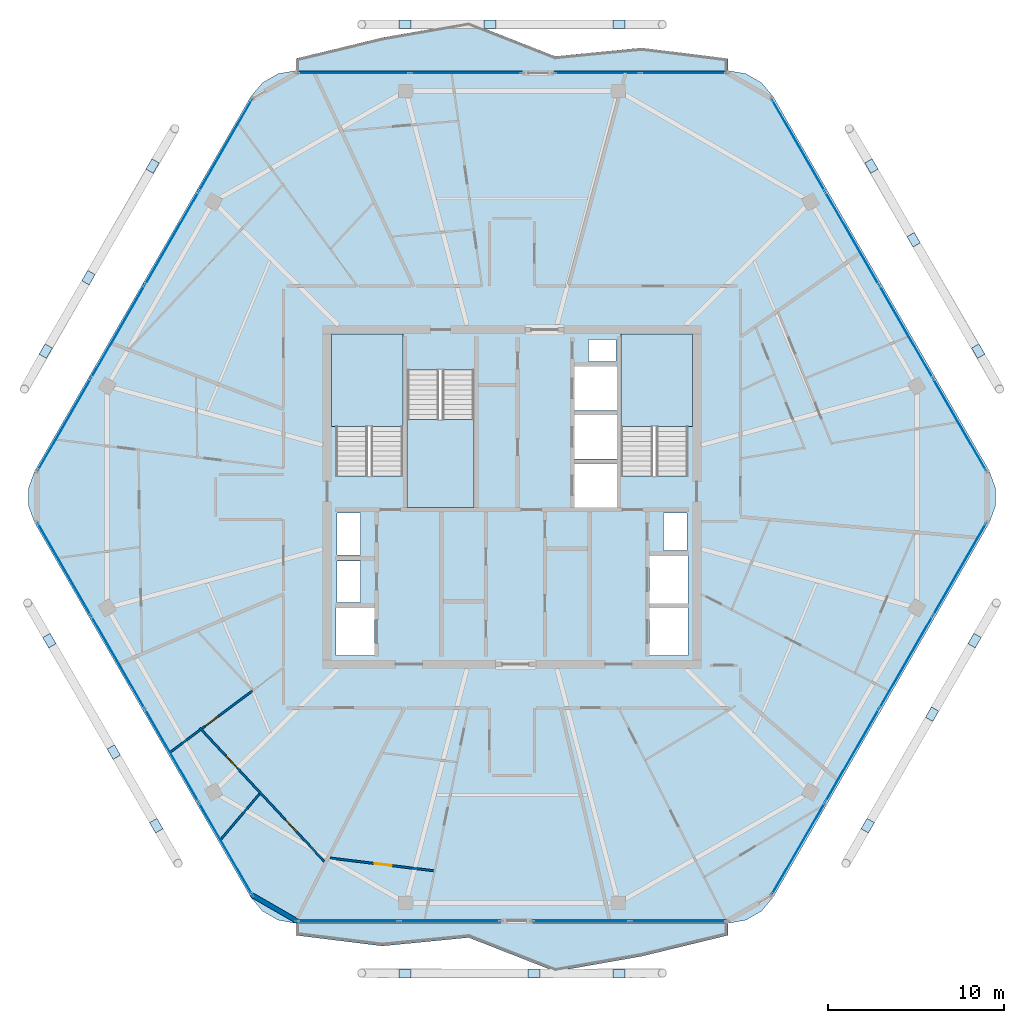
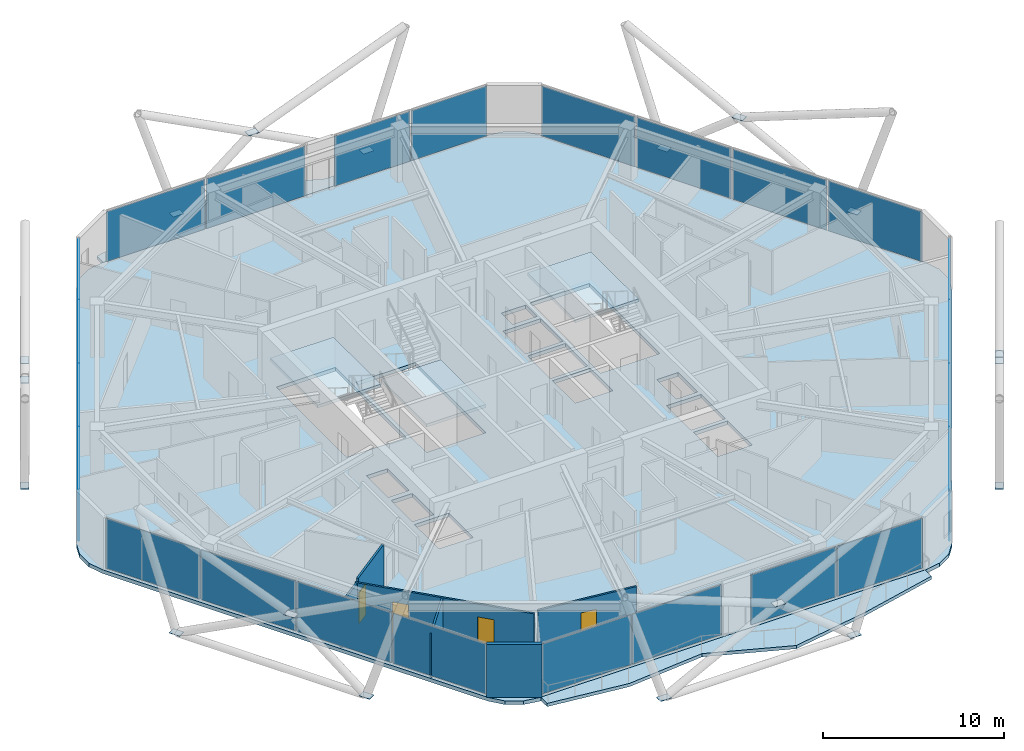
# One storey, part 16 of 23: 42 plates, 6 slabs, 6 walls, 4 doors, 4 openings, 11 elements without a shape of their own.
"""IFC4 building model written with IfcOpenShell, lengths in metres."""

from ifc_helpers import new_model, si_unit, direction, frame, frame_2d, origin, origin_2d, place, context, subcontext, project, spatial, polyline, rectangle, outline, extrude, material, layer, layer_set, type_object, element, fill, aggregate, save


model = new_model("IFC4")

# Units and contexts
model_context = context("Model", 3, precision=1e-05, world=origin(), true_north=direction((0.0, 1.0)))
body_context = subcontext(model_context, "Body", "Model", "MODEL_VIEW")
ifc_project = project(units=[si_unit("LENGTHUNIT", "METRE"), si_unit("AREAUNIT", "SQUARE_METRE"), si_unit("VOLUMEUNIT", "CUBIC_METRE"), si_unit("PLANEANGLEUNIT", "RADIAN"), si_unit("MASSUNIT", "GRAM", prefix="KILO")], contexts=[model_context])

# Site, building, storey
site_placement = place(None, origin())
site = spatial("IfcSite", under=ifc_project, at=site_placement, CompositionType="ELEMENT")
building_placement = place(site_placement, origin())
building = spatial("IfcBuilding", under=site, at=building_placement, Name="Zuhravey Tower", CompositionType="ELEMENT")
storey_placement = place(building_placement, frame((0.0, 0.0, 323.39990234375)))
storey = spatial("IfcBuildingStorey", under=building, at=storey_placement, Name="L82", CompositionType="ELEMENT", Elevation=323.39990234375)

# Plates
ifc_material_1 = material(Name="Steel SM460", Category="steel")
ifc_layer_1 = layer(ifc_material_1, 0.028076171875)
ifc_layer_set_1 = layer_set([ifc_layer_1], Name="Steel SM460")
plate_type_1 = type_object("IfcPlateType", Name="Exoskeleton Zone 4 Node Plate ND4", PredefinedType="SHEET", material=ifc_layer_set_1)
for number, where, z_axis, x_axis, name in (
    (1, (62.48046875, 40.282470703125, -0.47802734375), (0.0, 0.0, 1.0), (-0.5, 0.866025403784, 0.0), "L82 Exoskeleton Node Gusset L82-01"),
    (2, (56.4130859375, 50.79150390625, -0.47802734375), (0.0, 0.0, 1.0), (-0.5, 0.866025403784, 0.0), "L82 Exoskeleton Node Gusset L82-02"),
    (3, (42.0673828125, 58.833984375, -0.47802734375), (0.0, 0.0, 1.0), (-1.0, 0.0, 0.0), "L82 Exoskeleton Node Gusset L82-03"),
    (4, (29.9326171875, 58.833984375, -0.47802734375), (0.0, 0.0, 1.0), (-1.0, 0.0, 0.0), "L82 Exoskeleton Node Gusset L82-04"),
    (5, (15.5869140625, 50.79150390625, -0.47802734375), (0.0, 0.0, 1.0), (-0.5, -0.866025403784, 0.0), "L82 Exoskeleton Node Gusset L82-05"),
    (6, (9.51953125, 40.282470703125, -0.47802734375), (0.0, 0.0, 1.0), (-0.5, -0.866025403784, 0.0), "L82 Exoskeleton Node Gusset L82-06"),
    (7, (9.727294921875, 23.83740234375, -0.47802734375), (0.0, 0.0, 1.0), (0.5, -0.866025403784, 0.0), "L82 Exoskeleton Node Gusset L82-07"),
    (8, (15.794677734375, 13.328369140625, -0.47802734375), (0.0, 0.0, 1.0), (0.5, -0.866025403784, 0.0), "L82 Exoskeleton Node Gusset L82-08"),
    (9, (29.9326171875, 4.92578125, -0.47802734375), (0.0, 0.0, 1.0), (1.0, 0.0, 0.0), "L82 Exoskeleton Node Gusset L82-09"),
    (10, (42.0673828125, 4.92578125, -0.47802734375), (0.0, 0.0, 1.0), (1.0, 0.0, 0.0), "L82 Exoskeleton Node Gusset L82-10"),
    (11, (56.205322265625, 13.328369140625, -0.47802734375), (0.0, 0.0, 1.0), (0.5, 0.866025403784, 0.0), "L82 Exoskeleton Node Gusset L82-11"),
    (12, (62.272705078125, 23.83740234375, -0.47802734375), (0.0, 0.0, 1.0), (0.5, 0.866025403784, 0.0), "L82 Exoskeleton Node Gusset L82-12"),
    (13, (58.813232421875, 46.604248046875, 3.322265625), (0.0, 0.0, 1.0), (-0.5, 0.866025403784, 0.0), "L82 Face 1 Diagrid X-Crossing Plate"),
    (14, (34.7587890625, 58.833984375, 3.322265625), (0.0, 0.0, 1.0), (-1.0, 0.0, 0.0), "L82 Face 2 Diagrid X-Crossing Plate"),
    (15, (11.94580078125, 44.454833984375, 3.322265625), (0.0, 0.0, 1.0), (-0.5, -0.866025403784, 0.0), "L82 Face 3 Diagrid X-Crossing Plate"),
    (16, (13.381591796875, 17.50830078125, 3.322265625), (0.0, 0.0, 1.0), (0.5, -0.866025403784, 0.0), "L82 Face 4 Diagrid X-Crossing Plate"),
    (17, (37.2412109375, 4.94091796875, 3.322265625), (0.0, 0.0, 1.0), (1.0, 0.0, 0.0), "L82 Face 5 Diagrid X-Crossing Plate"),
    (18, (59.859619140625, 19.65771484375, 3.322265625), (0.0, 0.0, 1.0), (0.5, 0.866025403784, 0.0), "L82 Face 6 Diagrid X-Crossing Plate"),
):
    element("IfcPlate", number, at=place(storey_placement, frame(where, z_axis=z_axis, x_axis=x_axis)), inside=storey, type_object=plate_type_1, Name=name, PredefinedType="SHEET", context=body_context, shape_type="SweptSolid", body=[
        extrude(rectangle(XDim=0.679931640625, YDim=0.47998046875, at=origin_2d()), origin(), (0.0, 0.0, 1.0), 0.028076171875),
    ])

# Slabs
ifc_material_2 = material(Name="Concrete C50/60", Category="concrete")
ifc_layer_2 = layer(ifc_material_2, 0.25)
ifc_layer_set_2 = layer_set([ifc_layer_2], Name="Concrete C50/60")
slab_type_1 = type_object("IfcSlabType", Name="Residential Acoustic Slab 250", PredefinedType="FLOOR", material=ifc_layer_set_2)
slab_1_placement = place(storey_placement, frame((0.0, 0.0, -0.25)))
element("IfcSlab", 19, at=slab_1_placement, inside=storey, type_object=slab_type_1, Name="L82 Floor Slab FS25", PredefinedType="FLOOR", context=body_context, shape_type="SweptSolid", body=[
    extrude(outline(polyline([(63.1083984375, 30.52490234375), (63.458740234375, 31.48779296875), (63.458740234375, 32.51220703125), (63.1083984375, 33.47509765625), (50.83154296875, 54.739013671875), (50.173095703125, 55.52392578125), (49.285888671875, 56.0361328125), (48.27685546875, 56.214111328125), (23.72314453125, 56.214111328125), (22.714111328125, 56.0361328125), (21.826904296875, 55.52392578125), (21.16845703125, 54.739013671875), (8.8916015625, 33.47509765625), (8.541259765625, 32.51220703125), (8.541259765625, 31.48779296875), (8.8916015625, 30.52490234375), (21.16845703125, 9.260986328125), (21.826904296875, 8.47607421875), (22.714111328125, 7.9638671875), (23.72314453125, 7.785888671875), (48.27685546875, 7.785888671875), (49.285888671875, 7.9638671875), (50.173095703125, 8.47607421875), (50.83154296875, 9.260986328125), (63.1083984375, 30.52490234375)]), holes=[polyline([(29.800048828125, 33.20068359375), (29.800048828125, 41.0), (26.0, 41.0), (26.0, 33.20068359375), (29.800048828125, 33.20068359375)]), polyline([(46.0, 33.20068359375), (46.0, 41.0), (42.199951171875, 41.0), (42.199951171875, 33.20068359375), (46.0, 33.20068359375)]), polyline([(30.050048828125, 39.199462890625), (30.050048828125, 31.39990234375), (33.85009765625, 31.39990234375), (33.85009765625, 39.199462890625), (30.050048828125, 39.199462890625)]), polyline([(39.550048828125, 31.39990234375), (41.949951171875, 31.39990234375), (41.949951171875, 33.89990234375), (39.550048828125, 33.89990234375), (39.550048828125, 31.39990234375)]), polyline([(39.550048828125, 34.14990234375), (41.949951171875, 34.14990234375), (41.949951171875, 36.64990234375), (39.550048828125, 36.64990234375), (39.550048828125, 34.14990234375)]), polyline([(39.550048828125, 36.89990234375), (41.949951171875, 36.89990234375), (41.949951171875, 39.39990234375), (39.550048828125, 39.39990234375), (39.550048828125, 36.89990234375)]), polyline([(26.0, 23.0), (28.199951171875, 23.0), (28.199951171875, 25.699951171875), (26.0, 25.699951171875), (26.0, 23.0)]), polyline([(43.800048828125, 23.0), (46.0, 23.0), (46.0, 25.699951171875), (43.800048828125, 25.699951171875), (43.800048828125, 23.0)]), polyline([(43.800048828125, 25.949951171875), (46.0, 25.949951171875), (46.0, 28.64990234375), (43.800048828125, 28.64990234375), (43.800048828125, 25.949951171875)]), polyline([(26.050048828125, 26.0), (27.39990234375, 26.0), (27.39990234375, 28.35009765625), (26.050048828125, 28.35009765625), (26.050048828125, 26.0)]), polyline([(26.050048828125, 28.699951171875), (27.39990234375, 28.699951171875), (27.39990234375, 31.10009765625), (26.050048828125, 31.10009765625), (26.050048828125, 28.699951171875)]), polyline([(44.60009765625, 28.949951171875), (45.949951171875, 28.949951171875), (45.949951171875, 31.10009765625), (44.60009765625, 31.10009765625), (44.60009765625, 28.949951171875)]), polyline([(40.35009765625, 39.699951171875), (41.89990234375, 39.699951171875), (41.89990234375, 40.949951171875), (40.35009765625, 40.949951171875), (40.35009765625, 39.699951171875)])]), origin(), (0.0, 0.0, 1.0), 0.25),
])
ifc_material_3 = material(Name="Concrete C40/50", Category="concrete")
ifc_layer_3 = layer(ifc_material_3, 0.219970703125)
ifc_layer_set_3 = layer_set([ifc_layer_3], Name="Concrete C40/50")
slab_type_2 = type_object("IfcSlabType", Name="Sinusoidal Residential Wave Balcony 220", PredefinedType="FLOOR", material=ifc_layer_set_3)
slab_2_placement = place(storey_placement, frame((0.0, 0.0, -0.219970703125)))
element("IfcSlab", 20, at=slab_2_placement, inside=storey, type_object=slab_type_2, Name="L82 Face 5 Wave Balcony WB22", PredefinedType="FLOOR", context=body_context, shape_type="SweptSolid", body=[
    extrude(outline(polyline([(23.731689453125, 7.80078125), (48.268310546875, 7.80078125), (48.268310546875, 7.100830078125), (43.36083984375, 5.90966796875), (38.45361328125, 5.04638671875), (33.54638671875, 6.973876953125), (28.63916015625, 6.492431640625), (23.731689453125, 7.100830078125), (23.731689453125, 7.80078125)])), origin(), (0.0, 0.0, 1.0), 0.219970703125),
])
slab_3_placement = place(storey_placement, frame((0.0, 0.0, -0.219970703125)))
element("IfcSlab", 21, at=slab_3_placement, inside=storey, type_object=slab_type_2, Name="L82 Face 2 Wave Balcony WB22", PredefinedType="FLOOR", context=body_context, shape_type="SweptSolid", body=[
    extrude(outline(polyline([(48.268310546875, 56.19921875), (23.731689453125, 56.19921875), (23.731689453125, 56.899169921875), (28.63916015625, 58.09033203125), (33.54638671875, 58.95361328125), (38.45361328125, 57.026123046875), (43.36083984375, 57.507568359375), (48.268310546875, 56.899169921875), (48.268310546875, 56.19921875)])), origin(), (0.0, 0.0, 1.0), 0.219970703125),
])

# Stair, slab
stair_type = type_object("IfcStairType", Name="Housing Storey Stair Assembly 3800", PredefinedType="HALF_TURN_STAIR", material=ifc_material_3)
stair_1_placement = place(storey_placement, origin())
stair_1 = element("IfcStair", 22, at=stair_1_placement, inside=storey, type_object=stair_type, Name="L82 Core Exit Stair ST1", PredefinedType="HALF_TURN_STAIR")
ifc_layer_4 = layer(ifc_material_3, 0.199951171875)
ifc_layer_set_4 = layer_set([ifc_layer_4], Name="Concrete C40/50")
slab_type_3 = type_object("IfcSlabType", Name="Stair Landing Slab 200", PredefinedType="LANDING", material=ifc_layer_set_4)
slab_4_placement = place(storey_placement, frame((0.0, 0.0, 1.7001953125)))
slab_4 = element("IfcSlab", 23, at=slab_4_placement, type_object=slab_type_3, Name="ST1 landing 1", PredefinedType="LANDING", context=body_context, shape_type="SweptSolid", body=[
    extrude(outline(polyline([(29.800048828125, 36.0), (29.800048828125, 41.248046875), (25.751953125, 41.248046875), (25.751953125, 36.0), (29.800048828125, 36.0)])), origin(), (0.0, 0.0, 1.0), 0.199951171875),
])
aggregate(stair_1, [slab_4])

stair_2_placement = place(storey_placement, origin())
stair_2 = element("IfcStair", 24, at=stair_2_placement, inside=storey, type_object=stair_type, Name="L82 Core Exit Stair ST2", PredefinedType="HALF_TURN_STAIR")
slab_5_placement = place(storey_placement, frame((0.0, 0.0, 1.7001953125)))
slab_5 = element("IfcSlab", 25, at=slab_5_placement, type_object=slab_type_3, Name="ST2 landing 1", PredefinedType="LANDING", context=body_context, shape_type="SweptSolid", body=[
    extrude(outline(polyline([(46.248046875, 36.0), (46.248046875, 41.248046875), (42.199951171875, 41.248046875), (42.199951171875, 36.0), (46.248046875, 36.0)])), origin(), (0.0, 0.0, 1.0), 0.199951171875),
])
aggregate(stair_2, [slab_5])

stair_3_placement = place(storey_placement, origin())
stair_3 = element("IfcStair", 26, at=stair_3_placement, inside=storey, type_object=stair_type, Name="L82 Core Exit Stair ST3", PredefinedType="HALF_TURN_STAIR")
slab_6_placement = place(storey_placement, frame((0.0, 0.0, 1.7001953125)))
slab_6 = element("IfcSlab", 27, at=slab_6_placement, type_object=slab_type_3, Name="ST3 landing 1", PredefinedType="LANDING", context=body_context, shape_type="SweptSolid", body=[
    extrude(outline(polyline([(30.050048828125, 36.39990234375), (30.050048828125, 31.39990234375), (33.85009765625, 31.39990234375), (33.85009765625, 36.39990234375), (30.050048828125, 36.39990234375)])), origin(), (0.0, 0.0, 1.0), 0.199951171875),
])
aggregate(stair_3, [slab_6])

# Curtain wall, plates
ifc_material_4 = material(Name="Thermally broken anodised aluminium", Category="aluminium")
curtain_wall_type = type_object("IfcCurtainWallType", Name="Zone 3-4 High-Rise Curtain Wall CW4", PredefinedType="NOTDEFINED", material=ifc_material_4)
curtain_wall_1_placement = place(storey_placement, origin())
curtain_wall_1 = element("IfcCurtainWall", 28, at=curtain_wall_1_placement, inside=storey, type_object=curtain_wall_type, Name="L82 CW4 CW-L82-F6-1", PredefinedType="NOTDEFINED")
ifc_material_5 = material(Name="Triple low-E insulated vision glass", Category="glass")
ifc_layer_5 = layer(ifc_material_5, 0.0419921875)
ifc_layer_set_5 = layer_set([ifc_layer_5], Name="Triple low-E insulated vision glass")
plate_type_2 = type_object("IfcPlateType", Name="Triple Low-E Vision Panel", PredefinedType="CURTAIN_PANEL", material=ifc_layer_set_5)
plate_1_placement = place(storey_placement, frame((61.42724609375, 27.89306640625, 0.090087890625), z_axis=(0.0, 0.0, 1.0), x_axis=(-0.49999981336, -0.866025511541, 0.0)))
plate_1 = element("IfcPlate", 29, at=plate_1_placement, type_object=plate_type_2, Name="CW4 panel 1.1", PredefinedType="CURTAIN_PANEL", context=body_context, shape_type="SweptSolid", body=[
    extrude(rectangle(XDim=5.984619140625, YDim=0.0419921875, at=origin_2d()), origin(), (0.0, 0.0, 1.0), 3.3701171875),
])
plate_2_placement = place(storey_placement, frame((58.378662109375, 22.61279296875, 0.090087890625), z_axis=(0.0, 0.0, 1.0), x_axis=(-0.49999981336, -0.866025511541, 0.0)))
plate_2 = element("IfcPlate", 30, at=plate_2_placement, type_object=plate_type_2, Name="CW4 panel 2.1", PredefinedType="CURTAIN_PANEL", context=body_context, shape_type="SweptSolid", body=[
    extrude(rectangle(XDim=6.029541015625, YDim=0.0419921875, at=origin_2d()), origin(), (0.0, 0.0, 1.0), 3.3701171875),
])
plate_3_placement = place(storey_placement, frame((55.31884765625, 17.31298828125, 0.090087890625), z_axis=(0.0, 0.0, 1.0), x_axis=(-0.49999981336, -0.866025511541, 0.0)))
plate_3 = element("IfcPlate", 31, at=plate_3_placement, type_object=plate_type_2, Name="CW4 panel 3.1", PredefinedType="CURTAIN_PANEL", context=body_context, shape_type="SweptSolid", body=[
    extrude(rectangle(XDim=6.029541015625, YDim=0.0419921875, at=origin_2d()), origin(), (0.0, 0.0, 1.0), 3.3701171875),
])
plate_4_placement = place(storey_placement, frame((52.270263671875, 12.03271484375, 0.090087890625), z_axis=(0.0, 0.0, 1.0), x_axis=(-0.49999981336, -0.866025511541, 0.0)))
plate_4 = element("IfcPlate", 32, at=plate_4_placement, type_object=plate_type_2, Name="CW4 panel 4.1", PredefinedType="CURTAIN_PANEL", context=body_context, shape_type="SweptSolid", body=[
    extrude(rectangle(XDim=5.984619140625, YDim=0.0419921875, at=origin_2d()), origin(), (0.0, 0.0, 1.0), 3.3701171875),
])
aggregate(curtain_wall_1, [plate_1, plate_2, plate_3, plate_4])

curtain_wall_2_placement = place(storey_placement, origin())
curtain_wall_2 = element("IfcCurtainWall", 33, at=curtain_wall_2_placement, inside=storey, type_object=curtain_wall_type, Name="L82 CW4 CW-L82-F5-1", PredefinedType="NOTDEFINED")
plate_5_placement = place(storey_placement, frame((45.4365234375, 7.92578125, 0.090087890625), z_axis=(0.0, 0.0, 1.0), x_axis=(-1.0, 0.0, 0.0)))
plate_5 = element("IfcPlate", 34, at=plate_5_placement, type_object=plate_type_2, Name="CW4 panel 1.1", PredefinedType="CURTAIN_PANEL", context=body_context, shape_type="SweptSolid", body=[
    extrude(rectangle(XDim=5.42529296875, YDim=0.0419921875, at=origin_2d()), origin(), (0.0, 0.0, 1.0), 3.3701171875),
])
plate_6_placement = place(storey_placement, frame((39.92138671875, 7.92578125, 0.090087890625), z_axis=(0.0, 0.0, 1.0), x_axis=(-1.0, 0.0, 0.0)))
plate_6 = element("IfcPlate", 35, at=plate_6_placement, type_object=plate_type_2, Name="CW4 panel 2.1", PredefinedType="CURTAIN_PANEL", context=body_context, shape_type="SweptSolid", body=[
    extrude(rectangle(XDim=5.42529296875, YDim=0.0419921875, at=origin_2d()), origin(), (0.0, 0.0, 1.0), 3.3701171875),
])
aggregate(curtain_wall_2, [plate_5, plate_6])

curtain_wall_3_placement = place(storey_placement, origin())
curtain_wall_3 = element("IfcCurtainWall", 36, at=curtain_wall_3_placement, inside=storey, type_object=curtain_wall_type, Name="L82 CW4 CW-L82-F5-2", PredefinedType="NOTDEFINED")
plate_7_placement = place(storey_placement, frame((32.481689453125, 7.92578125, 0.090087890625), z_axis=(0.0, 0.0, 1.0), x_axis=(-1.0, 0.0, 0.0)))
plate_7 = element("IfcPlate", 37, at=plate_7_placement, type_object=plate_type_2, Name="CW4 panel 1.1", PredefinedType="CURTAIN_PANEL", context=body_context, shape_type="SweptSolid", body=[
    extrude(rectangle(XDim=5.69384765625, YDim=0.0419921875, at=origin_2d()), origin(), (0.0, 0.0, 1.0), 3.3701171875),
])
plate_8_placement = place(storey_placement, frame((26.69775390625, 7.92578125, 0.090087890625), z_axis=(0.0, 0.0, 1.0), x_axis=(-1.0, 0.0, 0.0)))
plate_8 = element("IfcPlate", 38, at=plate_8_placement, type_object=plate_type_2, Name="CW4 panel 2.1", PredefinedType="CURTAIN_PANEL", context=body_context, shape_type="SweptSolid", body=[
    extrude(rectangle(XDim=5.69384765625, YDim=0.0419921875, at=origin_2d()), origin(), (0.0, 0.0, 1.0), 3.3701171875),
])
aggregate(curtain_wall_3, [plate_7, plate_8])

curtain_wall_4_placement = place(storey_placement, origin())
curtain_wall_4 = element("IfcCurtainWall", 39, at=curtain_wall_4_placement, inside=storey, type_object=curtain_wall_type, Name="L82 CW4 CW-L82-F4-1", PredefinedType="NOTDEFINED")
plate_9_placement = place(storey_placement, frame((19.729736328125, 12.03271484375, 0.090087890625), z_axis=(0.0, 0.0, 1.0), x_axis=(-0.49999981336, 0.866025511541, 0.0)))
plate_9 = element("IfcPlate", 40, at=plate_9_placement, type_object=plate_type_2, Name="CW4 panel 1.1", PredefinedType="CURTAIN_PANEL", context=body_context, shape_type="SweptSolid", body=[
    extrude(rectangle(XDim=5.984619140625, YDim=0.0419921875, at=origin_2d()), origin(), (0.0, 0.0, 1.0), 3.3701171875),
])
plate_10_placement = place(storey_placement, frame((16.68115234375, 17.31298828125, 0.090087890625), z_axis=(0.0, 0.0, 1.0), x_axis=(-0.49999981336, 0.866025511541, 0.0)))
plate_10 = element("IfcPlate", 41, at=plate_10_placement, type_object=plate_type_2, Name="CW4 panel 2.1", PredefinedType="CURTAIN_PANEL", context=body_context, shape_type="SweptSolid", body=[
    extrude(rectangle(XDim=6.029541015625, YDim=0.0419921875, at=origin_2d()), origin(), (0.0, 0.0, 1.0), 3.3701171875),
])
plate_11_placement = place(storey_placement, frame((13.621337890625, 22.61279296875, 0.090087890625), z_axis=(0.0, 0.0, 1.0), x_axis=(-0.49999981336, 0.866025511541, 0.0)))
plate_11 = element("IfcPlate", 42, at=plate_11_placement, type_object=plate_type_2, Name="CW4 panel 3.1", PredefinedType="CURTAIN_PANEL", context=body_context, shape_type="SweptSolid", body=[
    extrude(rectangle(XDim=6.029541015625, YDim=0.0419921875, at=origin_2d()), origin(), (0.0, 0.0, 1.0), 3.3701171875),
])
plate_12_placement = place(storey_placement, frame((10.57275390625, 27.89306640625, 0.090087890625), z_axis=(0.0, 0.0, 1.0), x_axis=(-0.49999981336, 0.866025511541, 0.0)))
plate_12 = element("IfcPlate", 43, at=plate_12_placement, type_object=plate_type_2, Name="CW4 panel 4.1", PredefinedType="CURTAIN_PANEL", context=body_context, shape_type="SweptSolid", body=[
    extrude(rectangle(XDim=5.984619140625, YDim=0.0419921875, at=origin_2d()), origin(), (0.0, 0.0, 1.0), 3.3701171875),
])
aggregate(curtain_wall_4, [plate_9, plate_10, plate_11, plate_12])

curtain_wall_5_placement = place(storey_placement, origin())
curtain_wall_5 = element("IfcCurtainWall", 44, at=curtain_wall_5_placement, inside=storey, type_object=curtain_wall_type, Name="L82 CW4 CW-L82-F3-1", PredefinedType="NOTDEFINED")
plate_13_placement = place(storey_placement, frame((10.57275390625, 36.10693359375, 0.090087890625), z_axis=(0.0, 0.0, 1.0), x_axis=(0.49999981336, 0.866025511541, 0.0)))
plate_13 = element("IfcPlate", 45, at=plate_13_placement, type_object=plate_type_2, Name="CW4 panel 1.1", PredefinedType="CURTAIN_PANEL", context=body_context, shape_type="SweptSolid", body=[
    extrude(rectangle(XDim=5.984619140625, YDim=0.0419921875, at=origin_2d()), origin(), (0.0, 0.0, 1.0), 3.3701171875),
])
plate_14_placement = place(storey_placement, frame((13.621337890625, 41.38720703125, 0.090087890625), z_axis=(0.0, 0.0, 1.0), x_axis=(0.49999981336, 0.866025511541, 0.0)))
plate_14 = element("IfcPlate", 46, at=plate_14_placement, type_object=plate_type_2, Name="CW4 panel 2.1", PredefinedType="CURTAIN_PANEL", context=body_context, shape_type="SweptSolid", body=[
    extrude(rectangle(XDim=6.029541015625, YDim=0.0419921875, at=origin_2d()), origin(), (0.0, 0.0, 1.0), 3.3701171875),
])
plate_15_placement = place(storey_placement, frame((16.68115234375, 46.68701171875, 0.090087890625), z_axis=(0.0, 0.0, 1.0), x_axis=(0.49999981336, 0.866025511541, 0.0)))
plate_15 = element("IfcPlate", 47, at=plate_15_placement, type_object=plate_type_2, Name="CW4 panel 3.1", PredefinedType="CURTAIN_PANEL", context=body_context, shape_type="SweptSolid", body=[
    extrude(rectangle(XDim=6.029541015625, YDim=0.0419921875, at=origin_2d()), origin(), (0.0, 0.0, 1.0), 3.3701171875),
])
plate_16_placement = place(storey_placement, frame((19.729736328125, 51.96728515625, 0.090087890625), z_axis=(0.0, 0.0, 1.0), x_axis=(0.49999981336, 0.866025511541, 0.0)))
plate_16 = element("IfcPlate", 48, at=plate_16_placement, type_object=plate_type_2, Name="CW4 panel 4.1", PredefinedType="CURTAIN_PANEL", context=body_context, shape_type="SweptSolid", body=[
    extrude(rectangle(XDim=5.984619140625, YDim=0.0419921875, at=origin_2d()), origin(), (0.0, 0.0, 1.0), 3.3701171875),
])
aggregate(curtain_wall_5, [plate_13, plate_14, plate_15, plate_16])

curtain_wall_6_placement = place(storey_placement, origin())
curtain_wall_6 = element("IfcCurtainWall", 49, at=curtain_wall_6_placement, inside=storey, type_object=curtain_wall_type, Name="L82 CW4 CW-L82-F2-1", PredefinedType="NOTDEFINED")
plate_17_placement = place(storey_placement, frame((27.000732421875, 56.07421875, 0.090087890625), z_axis=(0.0, 0.0, 1.0), x_axis=(1.0, 0.0, 0.0)))
plate_17 = element("IfcPlate", 50, at=plate_17_placement, type_object=plate_type_2, Name="CW4 panel 1.1", PredefinedType="CURTAIN_PANEL", context=body_context, shape_type="SweptSolid", body=[
    extrude(rectangle(XDim=6.300048828125, YDim=0.0419921875, at=origin_2d()), origin(), (0.0, 0.0, 1.0), 3.3701171875),
])
plate_18_placement = place(storey_placement, frame((33.390625, 56.07421875, 0.090087890625), z_axis=(0.0, 0.0, 1.0), x_axis=(1.0, 0.0, 0.0)))
plate_18 = element("IfcPlate", 51, at=plate_18_placement, type_object=plate_type_2, Name="CW4 panel 2.1", PredefinedType="CURTAIN_PANEL", context=body_context, shape_type="SweptSolid", body=[
    extrude(rectangle(XDim=6.300048828125, YDim=0.0419921875, at=origin_2d()), origin(), (0.0, 0.0, 1.0), 3.3701171875),
])
aggregate(curtain_wall_6, [plate_17, plate_18])

curtain_wall_7_placement = place(storey_placement, origin())
curtain_wall_7 = element("IfcCurtainWall", 52, at=curtain_wall_7_placement, inside=storey, type_object=curtain_wall_type, Name="L82 CW4 CW-L82-F2-2", PredefinedType="NOTDEFINED")
plate_19_placement = place(storey_placement, frame((40.830322265625, 56.07421875, 0.090087890625), z_axis=(0.0, 0.0, 1.0), x_axis=(1.0, 0.0, 0.0)))
plate_19 = element("IfcPlate", 53, at=plate_19_placement, type_object=plate_type_2, Name="CW4 panel 1.1", PredefinedType="CURTAIN_PANEL", context=body_context, shape_type="SweptSolid", body=[
    extrude(rectangle(XDim=4.8193359375, YDim=0.0419921875, at=origin_2d()), origin(), (0.0, 0.0, 1.0), 3.3701171875),
])
plate_20_placement = place(storey_placement, frame((45.73974609375, 56.07421875, 0.090087890625), z_axis=(0.0, 0.0, 1.0), x_axis=(1.0, 0.0, 0.0)))
plate_20 = element("IfcPlate", 54, at=plate_20_placement, type_object=plate_type_2, Name="CW4 panel 2.1", PredefinedType="CURTAIN_PANEL", context=body_context, shape_type="SweptSolid", body=[
    extrude(rectangle(XDim=4.8193359375, YDim=0.0419921875, at=origin_2d()), origin(), (0.0, 0.0, 1.0), 3.3701171875),
])
aggregate(curtain_wall_7, [plate_19, plate_20])

curtain_wall_8_placement = place(storey_placement, origin())
curtain_wall_8 = element("IfcCurtainWall", 55, at=curtain_wall_8_placement, inside=storey, type_object=curtain_wall_type, Name="L82 CW4 CW-L82-F1-1", PredefinedType="NOTDEFINED")
plate_21_placement = place(storey_placement, frame((52.270263671875, 51.96728515625, 0.090087890625), z_axis=(0.0, 0.0, 1.0), x_axis=(0.49999981336, -0.866025511541, 0.0)))
plate_21 = element("IfcPlate", 56, at=plate_21_placement, type_object=plate_type_2, Name="CW4 panel 1.1", PredefinedType="CURTAIN_PANEL", context=body_context, shape_type="SweptSolid", body=[
    extrude(rectangle(XDim=5.984619140625, YDim=0.0419921875, at=origin_2d()), origin(), (0.0, 0.0, 1.0), 3.3701171875),
])
plate_22_placement = place(storey_placement, frame((55.31884765625, 46.68701171875, 0.090087890625), z_axis=(0.0, 0.0, 1.0), x_axis=(0.49999981336, -0.866025511541, 0.0)))
plate_22 = element("IfcPlate", 57, at=plate_22_placement, type_object=plate_type_2, Name="CW4 panel 2.1", PredefinedType="CURTAIN_PANEL", context=body_context, shape_type="SweptSolid", body=[
    extrude(rectangle(XDim=6.029541015625, YDim=0.0419921875, at=origin_2d()), origin(), (0.0, 0.0, 1.0), 3.3701171875),
])
plate_23_placement = place(storey_placement, frame((58.378662109375, 41.38720703125, 0.090087890625), z_axis=(0.0, 0.0, 1.0), x_axis=(0.49999981336, -0.866025511541, 0.0)))
plate_23 = element("IfcPlate", 58, at=plate_23_placement, type_object=plate_type_2, Name="CW4 panel 3.1", PredefinedType="CURTAIN_PANEL", context=body_context, shape_type="SweptSolid", body=[
    extrude(rectangle(XDim=6.029541015625, YDim=0.0419921875, at=origin_2d()), origin(), (0.0, 0.0, 1.0), 3.3701171875),
])
plate_24_placement = place(storey_placement, frame((61.42724609375, 36.10693359375, 0.090087890625), z_axis=(0.0, 0.0, 1.0), x_axis=(0.49999981336, -0.866025511541, 0.0)))
plate_24 = element("IfcPlate", 59, at=plate_24_placement, type_object=plate_type_2, Name="CW4 panel 4.1", PredefinedType="CURTAIN_PANEL", context=body_context, shape_type="SweptSolid", body=[
    extrude(rectangle(XDim=5.984619140625, YDim=0.0419921875, at=origin_2d()), origin(), (0.0, 0.0, 1.0), 3.3701171875),
])
aggregate(curtain_wall_8, [plate_21, plate_22, plate_23, plate_24])

# Wall
ifc_material_6 = material(Name="Precast concrete C40/50", Category="concrete")
ifc_layer_6 = layer(ifc_material_6, 0.280029296875)
ifc_layer_set_6 = layer_set([ifc_layer_6], Name="Precast concrete C40/50")
wall_type_1 = type_object("IfcWallType", Name="Crown Architectural Wall 280", PredefinedType="SOLIDWALL", material=ifc_layer_set_6)
wall_1_placement = place(storey_placement, frame((23.843017578125, 7.87841796875, 0.0), z_axis=(0.0, 0.0, 1.0), x_axis=(-0.866023752521, 0.50000286006, 0.0)))
element("IfcWall", 60, at=wall_1_placement, inside=storey, type_object=wall_type_1, Name="L82 Rounded Corner Closure Wall EW28-04", PredefinedType="SOLIDWALL", context=body_context, shape_type="SweptSolid", body=[
    extrude(rectangle(XDim=3.06494140625, YDim=0.280029296875, at=frame_2d((1.532470703125, 0.0))), origin(), (0.0, 0.0, 1.0), 3.550048828125),
])

# Wall, openings, doors
ifc_material_7 = material(Name="Gypsum metal-stud partition")
ifc_layer_7 = layer(ifc_material_7, 0.1201171875)
ifc_layer_set_7 = layer_set([ifc_layer_7], Name="Gypsum metal-stud partition")
wall_type_2 = type_object("IfcWallType", Name="Unit Internal Partition 120", PredefinedType="PARTITIONING", material=ifc_layer_set_7)
wall_2_placement = place(storey_placement, frame((18.26904296875, 18.879638671875, 0.0), z_axis=(0.0, 0.0, 1.0), x_axis=(0.682011831642, -0.731341138936, 0.0)))
wall_2 = element("IfcWall", 61, at=wall_2_placement, inside=storey, type_object=wall_type_2, Name="L82 IW12 Partition 031", PredefinedType="PARTITIONING", context=body_context, shape_type="SweptSolid", body=[
    extrude(rectangle(XDim=10.363525390625, YDim=0.1201171875, at=frame_2d((5.181640625, 0.0))), origin(), (0.0, 0.0, 1.0), 2.97021484375),
])
opening_1_placement = place(wall_2_placement, frame((2.16796875, 0.0, 0.0)))
opening_1 = element("IfcOpeningElement", 62, at=opening_1_placement, cuts=wall_2, Name="Opening IND1", PredefinedType="OPENING", context=body_context, shape_type="SweptSolid", body=[
    extrude(rectangle(XDim=0.949951171875, YDim=2.10009765625, at=frame_2d((0.47509765625, 1.050048828125))), frame((0.0, 0.072021484375, 0.0), z_axis=(0.0, -1.0, 0.0), x_axis=(1.0, 0.0, 0.0)), (0.0, 0.0, 1.0), 0.14404296875),
])
opening_2_placement = place(wall_2_placement, frame((7.10888671875, 0.0, 0.0)))
opening_2 = element("IfcOpeningElement", 63, at=opening_2_placement, cuts=wall_2, Name="Opening IND1", PredefinedType="OPENING", context=body_context, shape_type="SweptSolid", body=[
    extrude(rectangle(XDim=0.949951171875, YDim=2.10009765625, at=frame_2d((0.47509765625, 1.050048828125))), frame((0.0, 0.072021484375, 0.0), z_axis=(0.0, -1.0, 0.0), x_axis=(1.0, 0.0, 0.0)), (0.0, 0.0, 1.0), 0.14404296875),
])
ifc_material_8 = material(Name="Painted engineered timber leaf", Category="wood")
door_type = type_object("IfcDoorType", Name="Internal Room & Bedroom Door 950x2100", OperationType="NOTDEFINED", PredefinedType="DOOR", material=ifc_material_8)
door_1_placement = place(opening_1_placement, frame((0.949951171875, 0.0, 0.0), z_axis=(0.0, 0.0, 1.0), x_axis=(-1.0, 0.0, 0.0)))
door_1 = element("IfcDoor", 64, at=door_1_placement, inside=storey, type_object=door_type, Name="Apartment L82-03 Family Study Door", OperationType="SINGLE_SWING_RIGHT", OverallHeight=2.10009765625, OverallWidth=0.949951171875, PredefinedType="DOOR", context=body_context, shape_type="SweptSolid", body=[
    extrude(rectangle(XDim=0.949951171875, YDim=2.10009765625, at=frame_2d((0.47509765625, 1.050048828125))), frame((0.0, 0.02490234375, 0.0), z_axis=(0.0, -1.0, 0.0), x_axis=(1.0, 0.0, 0.0)), (0.0, 0.0, 1.0), 0.050048828125),
])
fill(opening_1, door_1)
door_2_placement = place(opening_2_placement, frame((0.949951171875, 0.0, 0.0), z_axis=(0.0, 0.0, 1.0), x_axis=(-1.0, 0.0, 0.0)))
door_2 = element("IfcDoor", 65, at=door_2_placement, inside=storey, type_object=door_type, Name="Apartment L82-03 Dining Room Door", OperationType="SINGLE_SWING_LEFT", OverallHeight=2.10009765625, OverallWidth=0.949951171875, PredefinedType="DOOR", context=body_context, shape_type="SweptSolid", body=[
    extrude(rectangle(XDim=0.949951171875, YDim=2.10009765625, at=frame_2d((0.47509765625, 1.050048828125))), frame((0.0, 0.02490234375, 0.0), z_axis=(0.0, -1.0, 0.0), x_axis=(1.0, 0.0, 0.0)), (0.0, 0.0, 1.0), 0.050048828125),
])
fill(opening_2, door_2)

# Wall, opening, door
wall_3_placement = place(storey_placement, frame((21.255615234375, 20.98583984375, 0.0), z_axis=(0.0, 0.0, 1.0), x_axis=(-0.801154440429, -0.598457653122, 0.0)))
wall_3 = element("IfcWall", 66, at=wall_3_placement, inside=storey, type_object=wall_type_2, Name="L82 IW12 Partition 033", PredefinedType="PARTITIONING", context=body_context, shape_type="SweptSolid", body=[
    extrude(rectangle(XDim=3.57373046875, YDim=0.1201171875, at=frame_2d((1.786865234375, 0.0))), origin(), (0.0, 0.0, 1.0), 3.2001953125),
])
opening_3_placement = place(wall_3_placement, frame((2.421630859375, 0.0, 0.0)))
opening_3 = element("IfcOpeningElement", 67, at=opening_3_placement, cuts=wall_3, Name="Opening IND1", PredefinedType="OPENING", context=body_context, shape_type="SweptSolid", body=[
    extrude(rectangle(XDim=0.949951171875, YDim=2.10009765625, at=frame_2d((0.47509765625, 1.050048828125))), frame((0.0, 0.072021484375, 0.0), z_axis=(0.0, -1.0, 0.0), x_axis=(1.0, 0.0, 0.0)), (0.0, 0.0, 1.0), 0.14404296875),
])
door_3_placement = place(opening_3_placement, frame((0.949951171875, 0.0, 0.0), z_axis=(0.0, 0.0, 1.0), x_axis=(-1.0, 0.0, 0.0)))
door_3 = element("IfcDoor", 68, at=door_3_placement, inside=storey, type_object=door_type, Name="Apartment L82-03 Bedroom 1 Door", OperationType="SINGLE_SWING_LEFT", OverallHeight=2.10009765625, OverallWidth=0.949951171875, PredefinedType="DOOR", context=body_context, shape_type="SweptSolid", body=[
    extrude(rectangle(XDim=0.949951171875, YDim=2.10009765625, at=frame_2d((0.47509765625, 1.050048828125))), frame((0.0, 0.02490234375, 0.0), z_axis=(0.0, -1.0, 0.0), x_axis=(1.0, 0.0, 0.0)), (0.0, 0.0, 1.0), 0.050048828125),
])
fill(opening_3, door_3)

# Wall
wall_4_placement = place(storey_placement, frame((18.282958984375, 18.76513671875, 0.0), z_axis=(0.0, 0.0, 1.0), x_axis=(-0.80116606549, -0.598442090353, 0.0)))
element("IfcWall", 69, at=wall_4_placement, inside=storey, type_object=wall_type_2, Name="L82 IW12 Partition 034", PredefinedType="PARTITIONING", context=body_context, shape_type="SweptSolid", body=[
    extrude(rectangle(XDim=2.1328125, YDim=0.1201171875, at=frame_2d((1.06640625, 0.0))), origin(), (0.0, 0.0, 1.0), 2.97021484375),
])

# Wall, opening, door
wall_5_placement = place(storey_placement, frame((25.662841796875, 11.4912109375, 0.0), z_axis=(0.0, 0.0, 1.0), x_axis=(0.992544417597, -0.121883465234, 0.0)))
wall_5 = element("IfcWall", 70, at=wall_5_placement, inside=storey, type_object=wall_type_2, Name="L82 IW12 Partition 038", PredefinedType="PARTITIONING", context=body_context, shape_type="SweptSolid", body=[
    extrude(rectangle(XDim=5.923095703125, YDim=0.1201171875, at=frame_2d((2.96142578125, 0.0))), origin(), (0.0, 0.0, 1.0), 2.97021484375),
])
opening_4_placement = place(wall_5_placement, frame((2.57080078125, 0.0, 0.0)))
opening_4 = element("IfcOpeningElement", 71, at=opening_4_placement, cuts=wall_5, Name="Opening IND1", PredefinedType="OPENING", context=body_context, shape_type="SweptSolid", body=[
    extrude(rectangle(XDim=0.949951171875, YDim=2.10009765625, at=frame_2d((0.47509765625, 1.050048828125))), frame((0.0, 0.072021484375, 0.0), z_axis=(0.0, -1.0, 0.0), x_axis=(1.0, 0.0, 0.0)), (0.0, 0.0, 1.0), 0.14404296875),
])
door_4_placement = place(opening_4_placement, frame((0.949951171875, 0.0, 0.0), z_axis=(0.0, 0.0, 1.0), x_axis=(-1.0, 0.0, 0.0)))
door_4 = element("IfcDoor", 72, at=door_4_placement, inside=storey, type_object=door_type, Name="Apartment L82-04 Bedroom 1 Door", OperationType="SINGLE_SWING_LEFT", OverallHeight=2.10009765625, OverallWidth=0.949951171875, PredefinedType="DOOR", context=body_context, shape_type="SweptSolid", body=[
    extrude(rectangle(XDim=0.949951171875, YDim=2.10009765625, at=frame_2d((0.47509765625, 1.050048828125))), frame((0.0, 0.02490234375, 0.0), z_axis=(0.0, -1.0, 0.0), x_axis=(1.0, 0.0, 0.0)), (0.0, 0.0, 1.0), 0.050048828125),
])
fill(opening_4, door_4)

# Wall
wall_6_placement = place(storey_placement, frame((21.664794921875, 15.138427734375, 0.0), z_axis=(0.0, 0.0, 1.0), x_axis=(-0.647711915691, -0.761885341946, 0.0)))
element("IfcWall", 73, at=wall_6_placement, inside=storey, type_object=wall_type_2, Name="L82 IW12 Partition 068", PredefinedType="PARTITIONING", context=body_context, shape_type="SweptSolid", body=[
    extrude(rectangle(XDim=3.459716796875, YDim=0.1201171875, at=frame_2d((1.72998046875, 0.0))), origin(), (0.0, 0.0, 1.0), 2.97021484375),
])

save(model, "model.ifc")
